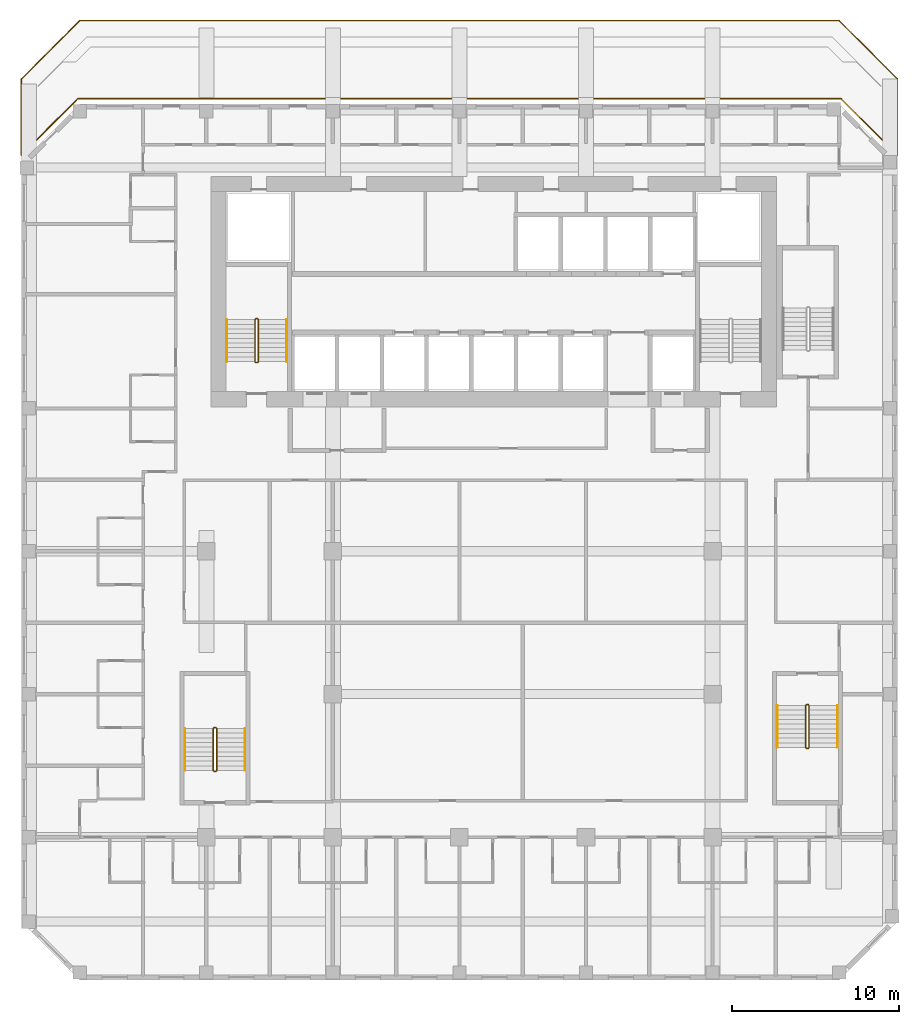
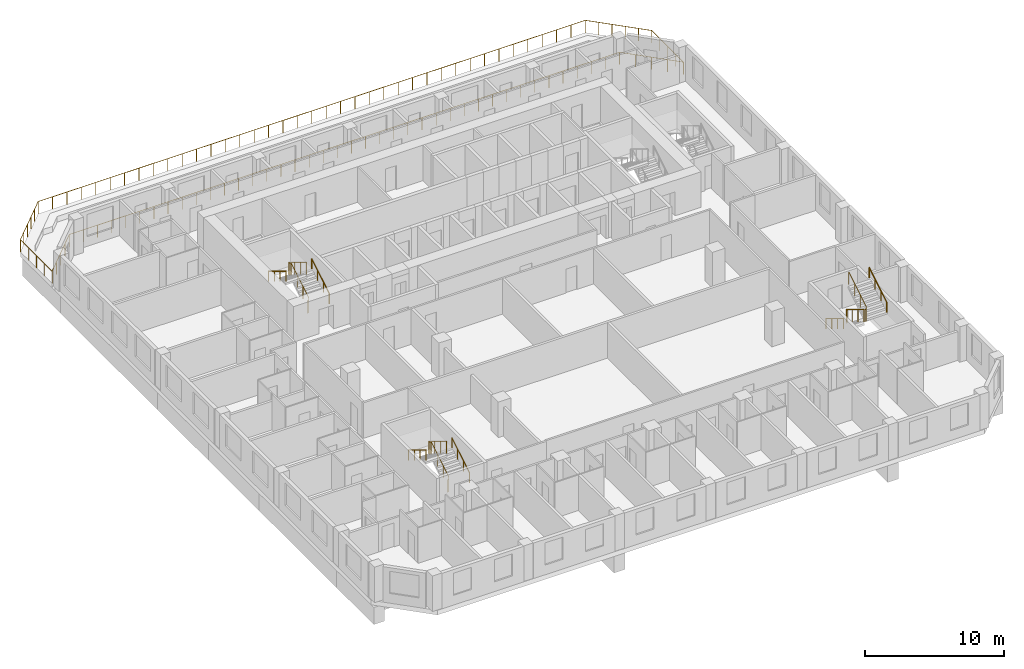
# One storey, part 15 of 16: 10 railings.
"""IFC4 building model written with IfcOpenShell, lengths in metres."""

from ifc_helpers import new_model, si_unit, direction, frame, origin, origin_2d, place, context, subcontext, project, spatial, circle, extrude, material, type_object, element, save


model = new_model("IFC4")

# Units and contexts
model_context = context("Model", 3, precision=1e-05, world=origin(), true_north=direction((0.0, 1.0)))
body_context = subcontext(model_context, "Body", "Model", "MODEL_VIEW")
ifc_project = project(units=[si_unit("LENGTHUNIT", "METRE"), si_unit("AREAUNIT", "SQUARE_METRE"), si_unit("VOLUMEUNIT", "CUBIC_METRE"), si_unit("PLANEANGLEUNIT", "RADIAN"), si_unit("MASSUNIT", "GRAM", prefix="KILO")], contexts=[model_context])

# Site, building, storey
site_placement = place(None, origin())
site = spatial("IfcSite", under=ifc_project, at=site_placement, CompositionType="ELEMENT")
building_placement = place(site_placement, origin())
building = spatial("IfcBuilding", under=site, at=building_placement, Name="Kilnfold Tower and Market Hall", CompositionType="ELEMENT")
storey_placement = place(building_placement, frame((0.0, 0.0, 168.5)))
storey = spatial("IfcBuildingStorey", under=building, at=storey_placement, Name="L39", CompositionType="ELEMENT", Elevation=168.5)

# Railings
ifc_material_1 = material(Name="Stainless steel 316", Category="steel")
railing_type_1 = type_object("IfcRailingType", Name="CORE STAIR GUARD 1100", PredefinedType="GUARDRAIL", material=ifc_material_1)
railing_1_placement = place(storey_placement, frame((-13.199951171875, 10.75, 0.0)))
element("IfcRailing", 1, at=railing_1_placement, inside=storey, type_object=railing_type_1, Name="L39 ST1 stair guard 1", PredefinedType="GUARDRAIL", context=body_context, shape_type="SweptSolid", body=[
    extrude(circle(Radius=0.02392578125, at=origin_2d()), frame((0.0, 0.0, 1.076171875), z_axis=(1.0, 0.0, 0.0), x_axis=(0.0, 1.0, 0.0)), (0.0, 0.0, 1.0), 0.099853515625),
    extrude(circle(Radius=0.02392578125, at=origin_2d()), frame((0.099853515625, 0.0, 1.076171875), z_axis=(0.271895245746, 0.271895245746, 0.923117517265), x_axis=(-0.707106781187, 0.707106781187, 0.0)), (0.0, 0.0, 1.0), 0.18408203125),
    extrude(circle(Radius=0.02392578125, at=origin_2d()), frame((0.14990234375, 0.050048828125, 1.24609375), z_axis=(0.0, 0.85478489116, 0.518982456201), x_axis=(-1.0, 0.0, 0.0)), (0.0, 0.0, 1.0), 2.9482421875),
    extrude(circle(Radius=0.02392578125, at=origin_2d()), frame((0.14990234375, 2.570068359375, 2.77587890625), z_axis=(-0.707106781187, 0.707106781187, 0.0), x_axis=(-0.707106781187, -0.707106781187, 0.0)), (0.0, 0.0, 1.0), 0.07080078125),
    extrude(circle(Radius=0.02392578125, at=origin_2d()), frame((0.099853515625, 2.6201171875, 2.77587890625), z_axis=(-1.0, 0.0, 0.0), x_axis=(0.0, -1.0, 0.0)), (0.0, 0.0, 1.0), 0.099853515625),
    extrude(circle(Radius=0.02392578125, at=origin_2d()), frame((0.0, 2.6201171875, 2.77587890625), z_axis=(-0.271562723297, -0.271562723297, 0.923313259209), x_axis=(0.707106781187, -0.707106781187, 0.0)), (0.0, 0.0, 1.0), 0.184326171875),
    extrude(circle(Radius=0.02392578125, at=origin_2d()), frame((-0.050048828125, 2.570068359375, 2.9462890625), z_axis=(0.0, -0.854821627497, 0.518921945155), x_axis=(1.0, 0.0, 0.0)), (0.0, 0.0, 1.0), 2.947998046875),
    extrude(circle(Radius=0.02099609375, at=origin_2d()), origin(), (0.0, 0.0, 1.0), 1.052001953125),
    extrude(circle(Radius=0.02099609375, at=origin_2d()), frame((0.099853515625, 0.0, 0.0)), (0.0, 0.0, 1.0), 1.052001953125),
    extrude(circle(Radius=0.02099609375, at=origin_2d()), frame((0.14990234375, 0.050048828125, 0.169921875)), (0.0, 0.0, 1.0), 1.052001953125),
    extrude(circle(Radius=0.02099609375, at=origin_2d()), frame((0.14990234375, 0.89013671875, 0.679931640625)), (0.0, 0.0, 1.0), 1.052001953125),
    extrude(circle(Radius=0.02099609375, at=origin_2d()), frame((0.14990234375, 1.72998046875, 1.18994140625)), (0.0, 0.0, 1.0), 1.052001953125),
    extrude(circle(Radius=0.02099609375, at=origin_2d()), frame((0.14990234375, 2.570068359375, 1.699951171875)), (0.0, 0.0, 1.0), 1.052001953125),
    extrude(circle(Radius=0.02099609375, at=origin_2d()), frame((0.099853515625, 2.6201171875, 1.699951171875)), (0.0, 0.0, 1.0), 1.052001953125),
    extrude(circle(Radius=0.02099609375, at=origin_2d()), frame((0.0, 2.6201171875, 1.699951171875)), (0.0, 0.0, 1.0), 1.052001953125),
    extrude(circle(Radius=0.02099609375, at=origin_2d()), frame((-0.050048828125, 2.570068359375, 1.8701171875)), (0.0, 0.0, 1.0), 1.052001953125),
    extrude(circle(Radius=0.02099609375, at=origin_2d()), frame((-0.050048828125, 1.72998046875, 2.380126953125)), (0.0, 0.0, 1.0), 1.052001953125),
    extrude(circle(Radius=0.02099609375, at=origin_2d()), frame((-0.050048828125, 0.89013671875, 2.889892578125)), (0.0, 0.0, 1.0), 1.052001953125),
    extrude(circle(Radius=0.02099609375, at=origin_2d()), frame((-0.050048828125, 0.050048828125, 3.39990234375)), (0.0, 0.0, 1.0), 1.052001953125),
])
railing_2_placement = place(storey_placement, frame((-15.699951171875, -13.75, 0.0)))
element("IfcRailing", 2, at=railing_2_placement, inside=storey, type_object=railing_type_1, Name="L39 ST3 stair guard 1", PredefinedType="GUARDRAIL", context=body_context, shape_type="SweptSolid", body=[
    extrude(circle(Radius=0.02392578125, at=origin_2d()), frame((0.0, 0.0, 1.076171875), z_axis=(1.0, 0.0, 0.0), x_axis=(0.0, 1.0, 0.0)), (0.0, 0.0, 1.0), 0.099853515625),
    extrude(circle(Radius=0.02392578125, at=origin_2d()), frame((0.099853515625, 0.0, 1.076171875), z_axis=(0.271895245746, 0.271895245746, 0.923117517265), x_axis=(-0.707106781187, 0.707106781187, 0.0)), (0.0, 0.0, 1.0), 0.18408203125),
    extrude(circle(Radius=0.02392578125, at=origin_2d()), frame((0.14990234375, 0.050048828125, 1.24609375), z_axis=(0.0, 0.85478489116, 0.518982456201), x_axis=(-1.0, 0.0, 0.0)), (0.0, 0.0, 1.0), 2.9482421875),
    extrude(circle(Radius=0.02392578125, at=origin_2d()), frame((0.14990234375, 2.570068359375, 2.77587890625), z_axis=(-0.707106781187, 0.707106781187, 0.0), x_axis=(-0.707106781187, -0.707106781187, 0.0)), (0.0, 0.0, 1.0), 0.07080078125),
    extrude(circle(Radius=0.02392578125, at=origin_2d()), frame((0.099853515625, 2.6201171875, 2.77587890625), z_axis=(-1.0, 0.0, 0.0), x_axis=(0.0, -1.0, 0.0)), (0.0, 0.0, 1.0), 0.099853515625),
    extrude(circle(Radius=0.02392578125, at=origin_2d()), frame((0.0, 2.6201171875, 2.77587890625), z_axis=(-0.271562723297, -0.271562723297, 0.923313259209), x_axis=(0.707106781187, -0.707106781187, 0.0)), (0.0, 0.0, 1.0), 0.184326171875),
    extrude(circle(Radius=0.02392578125, at=origin_2d()), frame((-0.050048828125, 2.570068359375, 2.9462890625), z_axis=(0.0, -0.854821627497, 0.518921945155), x_axis=(1.0, 0.0, 0.0)), (0.0, 0.0, 1.0), 2.947998046875),
    extrude(circle(Radius=0.02099609375, at=origin_2d()), origin(), (0.0, 0.0, 1.0), 1.052001953125),
    extrude(circle(Radius=0.02099609375, at=origin_2d()), frame((0.099853515625, 0.0, 0.0)), (0.0, 0.0, 1.0), 1.052001953125),
    extrude(circle(Radius=0.02099609375, at=origin_2d()), frame((0.14990234375, 0.050048828125, 0.169921875)), (0.0, 0.0, 1.0), 1.052001953125),
    extrude(circle(Radius=0.02099609375, at=origin_2d()), frame((0.14990234375, 0.89013671875, 0.679931640625)), (0.0, 0.0, 1.0), 1.052001953125),
    extrude(circle(Radius=0.02099609375, at=origin_2d()), frame((0.14990234375, 1.72998046875, 1.18994140625)), (0.0, 0.0, 1.0), 1.052001953125),
    extrude(circle(Radius=0.02099609375, at=origin_2d()), frame((0.14990234375, 2.570068359375, 1.699951171875)), (0.0, 0.0, 1.0), 1.052001953125),
    extrude(circle(Radius=0.02099609375, at=origin_2d()), frame((0.099853515625, 2.6201171875, 1.699951171875)), (0.0, 0.0, 1.0), 1.052001953125),
    extrude(circle(Radius=0.02099609375, at=origin_2d()), frame((0.0, 2.6201171875, 1.699951171875)), (0.0, 0.0, 1.0), 1.052001953125),
    extrude(circle(Radius=0.02099609375, at=origin_2d()), frame((-0.050048828125, 2.570068359375, 1.8701171875)), (0.0, 0.0, 1.0), 1.052001953125),
    extrude(circle(Radius=0.02099609375, at=origin_2d()), frame((-0.050048828125, 1.72998046875, 2.380126953125)), (0.0, 0.0, 1.0), 1.052001953125),
    extrude(circle(Radius=0.02099609375, at=origin_2d()), frame((-0.050048828125, 0.89013671875, 2.889892578125)), (0.0, 0.0, 1.0), 1.052001953125),
    extrude(circle(Radius=0.02099609375, at=origin_2d()), frame((-0.050048828125, 0.050048828125, 3.39990234375)), (0.0, 0.0, 1.0), 1.052001953125),
])
railing_3_placement = place(storey_placement, frame((19.89990234375, -9.75, 0.0)))
element("IfcRailing", 3, at=railing_3_placement, inside=storey, type_object=railing_type_1, Name="L39 ST4 stair guard 1", PredefinedType="GUARDRAIL", context=body_context, shape_type="SweptSolid", body=[
    extrude(circle(Radius=0.02392578125, at=origin_2d()), frame((0.0, 0.0, 1.076171875), z_axis=(-1.0, 0.0, 0.0), x_axis=(0.0, -1.0, 0.0)), (0.0, 0.0, 1.0), 0.099853515625),
    extrude(circle(Radius=0.02392578125, at=origin_2d()), frame((-0.099853515625, 0.0, 1.076171875), z_axis=(-0.271895245746, -0.271895245746, 0.923117517265), x_axis=(0.707106781187, -0.707106781187, 0.0)), (0.0, 0.0, 1.0), 0.18408203125),
    extrude(circle(Radius=0.02392578125, at=origin_2d()), frame((-0.14990234375, -0.050048828125, 1.24609375), z_axis=(0.0, -0.85478489116, 0.518982456201), x_axis=(1.0, 0.0, 0.0)), (0.0, 0.0, 1.0), 2.9482421875),
    extrude(circle(Radius=0.02392578125, at=origin_2d()), frame((-0.14990234375, -2.570068359375, 2.77587890625), z_axis=(0.707106781187, -0.707106781187, 0.0), x_axis=(0.707106781187, 0.707106781187, 0.0)), (0.0, 0.0, 1.0), 0.07080078125),
    extrude(circle(Radius=0.02392578125, at=origin_2d()), frame((-0.099853515625, -2.6201171875, 2.77587890625), z_axis=(1.0, 0.0, 0.0), x_axis=(0.0, 1.0, 0.0)), (0.0, 0.0, 1.0), 0.099853515625),
    extrude(circle(Radius=0.02392578125, at=origin_2d()), frame((0.0, -2.6201171875, 2.77587890625), z_axis=(0.271562723297, 0.271562723297, 0.923313259209), x_axis=(-0.707106781187, 0.707106781187, 0.0)), (0.0, 0.0, 1.0), 0.184326171875),
    extrude(circle(Radius=0.02392578125, at=origin_2d()), frame((0.050048828125, -2.570068359375, 2.9462890625), z_axis=(0.0, 0.854821627497, 0.518921945155), x_axis=(-1.0, 0.0, 0.0)), (0.0, 0.0, 1.0), 2.947998046875),
    extrude(circle(Radius=0.02099609375, at=origin_2d()), origin(), (0.0, 0.0, 1.0), 1.052001953125),
    extrude(circle(Radius=0.02099609375, at=origin_2d()), frame((-0.099853515625, 0.0, 0.0)), (0.0, 0.0, 1.0), 1.052001953125),
    extrude(circle(Radius=0.02099609375, at=origin_2d()), frame((-0.14990234375, -0.050048828125, 0.169921875)), (0.0, 0.0, 1.0), 1.052001953125),
    extrude(circle(Radius=0.02099609375, at=origin_2d()), frame((-0.14990234375, -0.89013671875, 0.679931640625)), (0.0, 0.0, 1.0), 1.052001953125),
    extrude(circle(Radius=0.02099609375, at=origin_2d()), frame((-0.14990234375, -1.72998046875, 1.18994140625)), (0.0, 0.0, 1.0), 1.052001953125),
    extrude(circle(Radius=0.02099609375, at=origin_2d()), frame((-0.14990234375, -2.570068359375, 1.699951171875)), (0.0, 0.0, 1.0), 1.052001953125),
    extrude(circle(Radius=0.02099609375, at=origin_2d()), frame((-0.099853515625, -2.6201171875, 1.699951171875)), (0.0, 0.0, 1.0), 1.052001953125),
    extrude(circle(Radius=0.02099609375, at=origin_2d()), frame((0.0, -2.6201171875, 1.699951171875)), (0.0, 0.0, 1.0), 1.052001953125),
    extrude(circle(Radius=0.02099609375, at=origin_2d()), frame((0.050048828125, -2.570068359375, 1.8701171875)), (0.0, 0.0, 1.0), 1.052001953125),
    extrude(circle(Radius=0.02099609375, at=origin_2d()), frame((0.050048828125, -1.72998046875, 2.380126953125)), (0.0, 0.0, 1.0), 1.052001953125),
    extrude(circle(Radius=0.02099609375, at=origin_2d()), frame((0.050048828125, -0.89013671875, 2.889892578125)), (0.0, 0.0, 1.0), 1.052001953125),
    extrude(circle(Radius=0.02099609375, at=origin_2d()), frame((0.050048828125, -0.050048828125, 3.39990234375)), (0.0, 0.0, 1.0), 1.052001953125),
])
ifc_material_2 = material(Name="Stainless steel 316", Category="steel")
railing_type_2 = type_object("IfcRailingType", Name="CORE STAIR HANDRAIL 900", PredefinedType="HANDRAIL", material=ifc_material_2)
railing_4_placement = place(storey_placement, frame((-11.35009765625, 10.800048828125, 0.169921875)))
element("IfcRailing", 4, at=railing_4_placement, inside=storey, type_object=railing_type_2, Name="L39 ST1 stair handrail 1", PredefinedType="HANDRAIL", context=body_context, shape_type="SweptSolid", body=[
    extrude(circle(Radius=0.02392578125, at=origin_2d()), frame((0.0, 0.0, 0.8759765625), z_axis=(0.0, 0.85478489116, 0.518982456201), x_axis=(-1.0, 0.0, 0.0)), (0.0, 0.0, 1.0), 2.9482421875),
    extrude(circle(Radius=0.02099609375, at=origin_2d()), origin(), (0.0, 0.0, 1.0), 0.851806640625),
    extrude(circle(Radius=0.02099609375, at=origin_2d()), frame((0.0, 0.840087890625, 0.510009765625)), (0.0, 0.0, 1.0), 0.851806640625),
    extrude(circle(Radius=0.02099609375, at=origin_2d()), frame((0.0, 1.679931640625, 1.02001953125)), (0.0, 0.0, 1.0), 0.851806640625),
    extrude(circle(Radius=0.02099609375, at=origin_2d()), frame((0.0, 2.52001953125, 1.530029296875)), (0.0, 0.0, 1.0), 0.851806640625),
])
railing_5_placement = place(storey_placement, frame((-14.949951171875, 13.320068359375, 1.8701171875)))
element("IfcRailing", 5, at=railing_5_placement, inside=storey, type_object=railing_type_2, Name="L39 ST1 stair handrail 2", PredefinedType="HANDRAIL", context=body_context, shape_type="SweptSolid", body=[
    extrude(circle(Radius=0.02392578125, at=origin_2d()), frame((0.0, 0.0, 0.8759765625), z_axis=(0.0, -0.854821627497, 0.518921945155), x_axis=(1.0, 0.0, 0.0)), (0.0, 0.0, 1.0), 2.947998046875),
    extrude(circle(Radius=0.02099609375, at=origin_2d()), origin(), (0.0, 0.0, 1.0), 0.851806640625),
    extrude(circle(Radius=0.02099609375, at=origin_2d()), frame((0.0, -0.840087890625, 0.510009765625)), (0.0, 0.0, 1.0), 0.851806640625),
    extrude(circle(Radius=0.02099609375, at=origin_2d()), frame((0.0, -1.679931640625, 1.019775390625)), (0.0, 0.0, 1.0), 0.851806640625),
    extrude(circle(Radius=0.02099609375, at=origin_2d()), frame((0.0, -2.52001953125, 1.52978515625)), (0.0, 0.0, 1.0), 0.851806640625),
])
railing_6_placement = place(storey_placement, frame((-13.85009765625, -13.699951171875, 0.169921875)))
element("IfcRailing", 6, at=railing_6_placement, inside=storey, type_object=railing_type_2, Name="L39 ST3 stair handrail 1", PredefinedType="HANDRAIL", context=body_context, shape_type="SweptSolid", body=[
    extrude(circle(Radius=0.02392578125, at=origin_2d()), frame((0.0, 0.0, 0.8759765625), z_axis=(0.0, 0.85478489116, 0.518982456201), x_axis=(-1.0, 0.0, 0.0)), (0.0, 0.0, 1.0), 2.9482421875),
    extrude(circle(Radius=0.02099609375, at=origin_2d()), origin(), (0.0, 0.0, 1.0), 0.851806640625),
    extrude(circle(Radius=0.02099609375, at=origin_2d()), frame((0.0, 0.840087890625, 0.510009765625)), (0.0, 0.0, 1.0), 0.851806640625),
    extrude(circle(Radius=0.02099609375, at=origin_2d()), frame((0.0, 1.679931640625, 1.02001953125)), (0.0, 0.0, 1.0), 0.851806640625),
    extrude(circle(Radius=0.02099609375, at=origin_2d()), frame((0.0, 2.52001953125, 1.530029296875)), (0.0, 0.0, 1.0), 0.851806640625),
])
railing_7_placement = place(storey_placement, frame((-17.449951171875, -11.179931640625, 1.8701171875)))
element("IfcRailing", 7, at=railing_7_placement, inside=storey, type_object=railing_type_2, Name="L39 ST3 stair handrail 2", PredefinedType="HANDRAIL", context=body_context, shape_type="SweptSolid", body=[
    extrude(circle(Radius=0.02392578125, at=origin_2d()), frame((0.0, 0.0, 0.8759765625), z_axis=(0.0, -0.854821627497, 0.518921945155), x_axis=(1.0, 0.0, 0.0)), (0.0, 0.0, 1.0), 2.947998046875),
    extrude(circle(Radius=0.02099609375, at=origin_2d()), origin(), (0.0, 0.0, 1.0), 0.851806640625),
    extrude(circle(Radius=0.02099609375, at=origin_2d()), frame((0.0, -0.840087890625, 0.510009765625)), (0.0, 0.0, 1.0), 0.851806640625),
    extrude(circle(Radius=0.02099609375, at=origin_2d()), frame((0.0, -1.679931640625, 1.019775390625)), (0.0, 0.0, 1.0), 0.851806640625),
    extrude(circle(Radius=0.02099609375, at=origin_2d()), frame((0.0, -2.52001953125, 1.52978515625)), (0.0, 0.0, 1.0), 0.851806640625),
])
railing_8_placement = place(storey_placement, frame((18.050048828125, -9.800048828125, 0.169921875)))
element("IfcRailing", 8, at=railing_8_placement, inside=storey, type_object=railing_type_2, Name="L39 ST4 stair handrail 1", PredefinedType="HANDRAIL", context=body_context, shape_type="SweptSolid", body=[
    extrude(circle(Radius=0.02392578125, at=origin_2d()), frame((0.0, 0.0, 0.8759765625), z_axis=(0.0, -0.85478489116, 0.518982456201), x_axis=(1.0, 0.0, 0.0)), (0.0, 0.0, 1.0), 2.9482421875),
    extrude(circle(Radius=0.02099609375, at=origin_2d()), origin(), (0.0, 0.0, 1.0), 0.851806640625),
    extrude(circle(Radius=0.02099609375, at=origin_2d()), frame((0.0, -0.840087890625, 0.510009765625)), (0.0, 0.0, 1.0), 0.851806640625),
    extrude(circle(Radius=0.02099609375, at=origin_2d()), frame((0.0, -1.679931640625, 1.02001953125)), (0.0, 0.0, 1.0), 0.851806640625),
    extrude(circle(Radius=0.02099609375, at=origin_2d()), frame((0.0, -2.52001953125, 1.530029296875)), (0.0, 0.0, 1.0), 0.851806640625),
])
railing_9_placement = place(storey_placement, frame((21.64990234375, -12.320068359375, 1.8701171875)))
element("IfcRailing", 9, at=railing_9_placement, inside=storey, type_object=railing_type_2, Name="L39 ST4 stair handrail 2", PredefinedType="HANDRAIL", context=body_context, shape_type="SweptSolid", body=[
    extrude(circle(Radius=0.02392578125, at=origin_2d()), frame((0.0, 0.0, 0.8759765625), z_axis=(0.0, 0.854821627497, 0.518921945155), x_axis=(-1.0, 0.0, 0.0)), (0.0, 0.0, 1.0), 2.947998046875),
    extrude(circle(Radius=0.02099609375, at=origin_2d()), origin(), (0.0, 0.0, 1.0), 0.851806640625),
    extrude(circle(Radius=0.02099609375, at=origin_2d()), frame((0.0, 0.840087890625, 0.510009765625)), (0.0, 0.0, 1.0), 0.851806640625),
    extrude(circle(Radius=0.02099609375, at=origin_2d()), frame((0.0, 1.679931640625, 1.019775390625)), (0.0, 0.0, 1.0), 0.851806640625),
    extrude(circle(Radius=0.02099609375, at=origin_2d()), frame((0.0, 2.52001953125, 1.52978515625)), (0.0, 0.0, 1.0), 0.851806640625),
])
ifc_material_3 = material(Name="Stainless steel and laminated glass", Category="steel")
railing_type_3 = type_object("IfcRailingType", Name="GUARD 1100", PredefinedType="GUARDRAIL", material=ifc_material_3)
railing_10_placement = place(storey_placement, frame((-27.25, 27.75, 0.0)))
element("IfcRailing", 10, at=railing_10_placement, inside=storey, type_object=railing_type_3, Name="Guard terrace L39", PredefinedType="GUARDRAIL", context=body_context, shape_type="SweptSolid", body=[
    extrude(circle(Radius=0.02490234375, at=origin_2d()), frame((0.0, 0.0, 1.0751953125), z_axis=(0.707106781187, 0.707106781187, 0.0), x_axis=(-0.707106781187, 0.707106781187, 0.0)), (0.0, 0.0, 1.0), 4.94970703125),
    extrude(circle(Radius=0.02490234375, at=origin_2d()), frame((3.5, 3.5, 1.0751953125), z_axis=(1.0, 0.0, 0.0), x_axis=(0.0, 1.0, 0.0)), (0.0, 0.0, 1.0), 45.5),
    extrude(circle(Radius=0.02490234375, at=origin_2d()), frame((49.0, 3.5, 1.0751953125), z_axis=(0.707106781187, -0.707106781187, 0.0), x_axis=(0.707106781187, 0.707106781187, 0.0)), (0.0, 0.0, 1.0), 4.94970703125),
    extrude(circle(Radius=0.02490234375, at=origin_2d()), frame((52.5, 0.0, 1.0751953125), z_axis=(0.0, -1.0, 0.0), x_axis=(1.0, 0.0, 0.0)), (0.0, 0.0, 1.0), 4.57568359375),
    extrude(circle(Radius=0.02490234375, at=origin_2d()), frame((52.5, -4.57568359375, 1.0751953125), z_axis=(-0.707106781187, 0.707106781187, 0.0), x_axis=(-0.707106781187, -0.707106781187, 0.0)), (0.0, 0.0, 1.0), 4.77392578125),
    extrude(circle(Radius=0.02490234375, at=origin_2d()), frame((49.124267578125, -1.199951171875, 1.0751953125), z_axis=(-1.0, 0.0, 0.0), x_axis=(0.0, -1.0, 0.0)), (0.0, 0.0, 1.0), 45.74853515625),
    extrude(circle(Radius=0.02490234375, at=origin_2d()), frame((3.375732421875, -1.199951171875, 1.0751953125), z_axis=(-0.707106781187, -0.707106781187, 0.0), x_axis=(0.707106781187, -0.707106781187, 0.0)), (0.0, 0.0, 1.0), 4.77392578125),
    extrude(circle(Radius=0.02490234375, at=origin_2d()), frame((0.0, -4.57568359375, 1.0751953125), z_axis=(0.0, 1.0, 0.0), x_axis=(-1.0, 0.0, 0.0)), (0.0, 0.0, 1.0), 4.515625),
    extrude(circle(Radius=0.02490234375, at=origin_2d()), origin(), (0.0, 0.0, 1.0), 1.050048828125),
    extrude(circle(Radius=0.02490234375, at=origin_2d()), frame((0.699951171875, 0.699951171875, 0.0)), (0.0, 0.0, 1.0), 1.050048828125),
    extrude(circle(Radius=0.02490234375, at=origin_2d()), frame((1.39990234375, 1.39990234375, 0.0)), (0.0, 0.0, 1.0), 1.050048828125),
    extrude(circle(Radius=0.02490234375, at=origin_2d()), frame((2.10009765625, 2.10009765625, 0.0)), (0.0, 0.0, 1.0), 1.050048828125),
    extrude(circle(Radius=0.02490234375, at=origin_2d()), frame((2.800048828125, 2.800048828125, 0.0)), (0.0, 0.0, 1.0), 1.050048828125),
    extrude(circle(Radius=0.02490234375, at=origin_2d()), frame((3.5, 3.5, 0.0)), (0.0, 0.0, 1.0), 1.050048828125),
    extrude(circle(Radius=0.02490234375, at=origin_2d()), frame((4.697265625, 3.5, 0.0)), (0.0, 0.0, 1.0), 1.050048828125),
    extrude(circle(Radius=0.02490234375, at=origin_2d()), frame((5.894775390625, 3.5, 0.0)), (0.0, 0.0, 1.0), 1.050048828125),
    extrude(circle(Radius=0.02490234375, at=origin_2d()), frame((7.092041015625, 3.5, 0.0)), (0.0, 0.0, 1.0), 1.050048828125),
    extrude(circle(Radius=0.02490234375, at=origin_2d()), frame((8.28955078125, 3.5, 0.0)), (0.0, 0.0, 1.0), 1.050048828125),
    extrude(circle(Radius=0.02490234375, at=origin_2d()), frame((9.48681640625, 3.5, 0.0)), (0.0, 0.0, 1.0), 1.050048828125),
    extrude(circle(Radius=0.02490234375, at=origin_2d()), frame((10.684326171875, 3.5, 0.0)), (0.0, 0.0, 1.0), 1.050048828125),
    extrude(circle(Radius=0.02490234375, at=origin_2d()), frame((11.881591796875, 3.5, 0.0)), (0.0, 0.0, 1.0), 1.050048828125),
    extrude(circle(Radius=0.02490234375, at=origin_2d()), frame((13.078857421875, 3.5, 0.0)), (0.0, 0.0, 1.0), 1.050048828125),
    extrude(circle(Radius=0.02490234375, at=origin_2d()), frame((14.2763671875, 3.5, 0.0)), (0.0, 0.0, 1.0), 1.050048828125),
    extrude(circle(Radius=0.02490234375, at=origin_2d()), frame((15.4736328125, 3.5, 0.0)), (0.0, 0.0, 1.0), 1.050048828125),
    extrude(circle(Radius=0.02490234375, at=origin_2d()), frame((16.671142578125, 3.5, 0.0)), (0.0, 0.0, 1.0), 1.050048828125),
    extrude(circle(Radius=0.02490234375, at=origin_2d()), frame((17.868408203125, 3.5, 0.0)), (0.0, 0.0, 1.0), 1.050048828125),
    extrude(circle(Radius=0.02490234375, at=origin_2d()), frame((19.065673828125, 3.5, 0.0)), (0.0, 0.0, 1.0), 1.050048828125),
    extrude(circle(Radius=0.02490234375, at=origin_2d()), frame((20.26318359375, 3.5, 0.0)), (0.0, 0.0, 1.0), 1.050048828125),
    extrude(circle(Radius=0.02490234375, at=origin_2d()), frame((21.46044921875, 3.5, 0.0)), (0.0, 0.0, 1.0), 1.050048828125),
    extrude(circle(Radius=0.02490234375, at=origin_2d()), frame((22.657958984375, 3.5, 0.0)), (0.0, 0.0, 1.0), 1.050048828125),
    extrude(circle(Radius=0.02490234375, at=origin_2d()), frame((23.855224609375, 3.5, 0.0)), (0.0, 0.0, 1.0), 1.050048828125),
    extrude(circle(Radius=0.02490234375, at=origin_2d()), frame((25.052734375, 3.5, 0.0)), (0.0, 0.0, 1.0), 1.050048828125),
    extrude(circle(Radius=0.02490234375, at=origin_2d()), frame((26.25, 3.5, 0.0)), (0.0, 0.0, 1.0), 1.050048828125),
    extrude(circle(Radius=0.02490234375, at=origin_2d()), frame((27.447265625, 3.5, 0.0)), (0.0, 0.0, 1.0), 1.050048828125),
    extrude(circle(Radius=0.02490234375, at=origin_2d()), frame((28.644775390625, 3.5, 0.0)), (0.0, 0.0, 1.0), 1.050048828125),
    extrude(circle(Radius=0.02490234375, at=origin_2d()), frame((29.842041015625, 3.5, 0.0)), (0.0, 0.0, 1.0), 1.050048828125),
    extrude(circle(Radius=0.02490234375, at=origin_2d()), frame((31.03955078125, 3.5, 0.0)), (0.0, 0.0, 1.0), 1.050048828125),
    extrude(circle(Radius=0.02490234375, at=origin_2d()), frame((32.23681640625, 3.5, 0.0)), (0.0, 0.0, 1.0), 1.050048828125),
    extrude(circle(Radius=0.02490234375, at=origin_2d()), frame((33.434326171875, 3.5, 0.0)), (0.0, 0.0, 1.0), 1.050048828125),
    extrude(circle(Radius=0.02490234375, at=origin_2d()), frame((34.631591796875, 3.5, 0.0)), (0.0, 0.0, 1.0), 1.050048828125),
    extrude(circle(Radius=0.02490234375, at=origin_2d()), frame((35.828857421875, 3.5, 0.0)), (0.0, 0.0, 1.0), 1.050048828125),
    extrude(circle(Radius=0.02490234375, at=origin_2d()), frame((37.0263671875, 3.5, 0.0)), (0.0, 0.0, 1.0), 1.050048828125),
    extrude(circle(Radius=0.02490234375, at=origin_2d()), frame((38.2236328125, 3.5, 0.0)), (0.0, 0.0, 1.0), 1.050048828125),
    extrude(circle(Radius=0.02490234375, at=origin_2d()), frame((39.421142578125, 3.5, 0.0)), (0.0, 0.0, 1.0), 1.050048828125),
    extrude(circle(Radius=0.02490234375, at=origin_2d()), frame((40.618408203125, 3.5, 0.0)), (0.0, 0.0, 1.0), 1.050048828125),
    extrude(circle(Radius=0.02490234375, at=origin_2d()), frame((41.815673828125, 3.5, 0.0)), (0.0, 0.0, 1.0), 1.050048828125),
    extrude(circle(Radius=0.02490234375, at=origin_2d()), frame((43.01318359375, 3.5, 0.0)), (0.0, 0.0, 1.0), 1.050048828125),
    extrude(circle(Radius=0.02490234375, at=origin_2d()), frame((44.21044921875, 3.5, 0.0)), (0.0, 0.0, 1.0), 1.050048828125),
    extrude(circle(Radius=0.02490234375, at=origin_2d()), frame((45.407958984375, 3.5, 0.0)), (0.0, 0.0, 1.0), 1.050048828125),
    extrude(circle(Radius=0.02490234375, at=origin_2d()), frame((46.605224609375, 3.5, 0.0)), (0.0, 0.0, 1.0), 1.050048828125),
    extrude(circle(Radius=0.02490234375, at=origin_2d()), frame((47.802734375, 3.5, 0.0)), (0.0, 0.0, 1.0), 1.050048828125),
    extrude(circle(Radius=0.02490234375, at=origin_2d()), frame((49.0, 3.5, 0.0)), (0.0, 0.0, 1.0), 1.050048828125),
    extrude(circle(Radius=0.02490234375, at=origin_2d()), frame((49.699951171875, 2.800048828125, 0.0)), (0.0, 0.0, 1.0), 1.050048828125),
    extrude(circle(Radius=0.02490234375, at=origin_2d()), frame((50.39990234375, 2.10009765625, 0.0)), (0.0, 0.0, 1.0), 1.050048828125),
    extrude(circle(Radius=0.02490234375, at=origin_2d()), frame((51.10009765625, 1.39990234375, 0.0)), (0.0, 0.0, 1.0), 1.050048828125),
    extrude(circle(Radius=0.02490234375, at=origin_2d()), frame((51.800048828125, 0.699951171875, 0.0)), (0.0, 0.0, 1.0), 1.050048828125),
    extrude(circle(Radius=0.02490234375, at=origin_2d()), frame((52.5, 0.0, 0.0)), (0.0, 0.0, 1.0), 1.050048828125),
    extrude(circle(Radius=0.02490234375, at=origin_2d()), frame((52.5, -1.14404296875, 0.0)), (0.0, 0.0, 1.0), 1.050048828125),
    extrude(circle(Radius=0.02490234375, at=origin_2d()), frame((52.5, -2.287841796875, 0.0)), (0.0, 0.0, 1.0), 1.050048828125),
    extrude(circle(Radius=0.02490234375, at=origin_2d()), frame((52.5, -3.431640625, 0.0)), (0.0, 0.0, 1.0), 1.050048828125),
    extrude(circle(Radius=0.02490234375, at=origin_2d()), frame((52.5, -4.57568359375, 0.0)), (0.0, 0.0, 1.0), 1.050048828125),
    extrude(circle(Radius=0.02490234375, at=origin_2d()), frame((51.656005859375, -3.731689453125, 0.0)), (0.0, 0.0, 1.0), 1.050048828125),
    extrude(circle(Radius=0.02490234375, at=origin_2d()), frame((50.81201171875, -2.8876953125, 0.0)), (0.0, 0.0, 1.0), 1.050048828125),
    extrude(circle(Radius=0.02490234375, at=origin_2d()), frame((49.96826171875, -2.0439453125, 0.0)), (0.0, 0.0, 1.0), 1.050048828125),
    extrude(circle(Radius=0.02490234375, at=origin_2d()), frame((49.124267578125, -1.199951171875, 0.0)), (0.0, 0.0, 1.0), 1.050048828125),
    extrude(circle(Radius=0.02490234375, at=origin_2d()), frame((47.951171875, -1.199951171875, 0.0)), (0.0, 0.0, 1.0), 1.050048828125),
    extrude(circle(Radius=0.02490234375, at=origin_2d()), frame((46.778076171875, -1.199951171875, 0.0)), (0.0, 0.0, 1.0), 1.050048828125),
    extrude(circle(Radius=0.02490234375, at=origin_2d()), frame((45.605224609375, -1.199951171875, 0.0)), (0.0, 0.0, 1.0), 1.050048828125),
    extrude(circle(Radius=0.02490234375, at=origin_2d()), frame((44.43212890625, -1.199951171875, 0.0)), (0.0, 0.0, 1.0), 1.050048828125),
    extrude(circle(Radius=0.02490234375, at=origin_2d()), frame((43.259033203125, -1.199951171875, 0.0)), (0.0, 0.0, 1.0), 1.050048828125),
    extrude(circle(Radius=0.02490234375, at=origin_2d()), frame((42.0859375, -1.199951171875, 0.0)), (0.0, 0.0, 1.0), 1.050048828125),
    extrude(circle(Radius=0.02490234375, at=origin_2d()), frame((40.9130859375, -1.199951171875, 0.0)), (0.0, 0.0, 1.0), 1.050048828125),
    extrude(circle(Radius=0.02490234375, at=origin_2d()), frame((39.739990234375, -1.199951171875, 0.0)), (0.0, 0.0, 1.0), 1.050048828125),
    extrude(circle(Radius=0.02490234375, at=origin_2d()), frame((38.56689453125, -1.199951171875, 0.0)), (0.0, 0.0, 1.0), 1.050048828125),
    extrude(circle(Radius=0.02490234375, at=origin_2d()), frame((37.393798828125, -1.199951171875, 0.0)), (0.0, 0.0, 1.0), 1.050048828125),
    extrude(circle(Radius=0.02490234375, at=origin_2d()), frame((36.220947265625, -1.199951171875, 0.0)), (0.0, 0.0, 1.0), 1.050048828125),
    extrude(circle(Radius=0.02490234375, at=origin_2d()), frame((35.0478515625, -1.199951171875, 0.0)), (0.0, 0.0, 1.0), 1.050048828125),
    extrude(circle(Radius=0.02490234375, at=origin_2d()), frame((33.874755859375, -1.199951171875, 0.0)), (0.0, 0.0, 1.0), 1.050048828125),
    extrude(circle(Radius=0.02490234375, at=origin_2d()), frame((32.70166015625, -1.199951171875, 0.0)), (0.0, 0.0, 1.0), 1.050048828125),
    extrude(circle(Radius=0.02490234375, at=origin_2d()), frame((31.528564453125, -1.199951171875, 0.0)), (0.0, 0.0, 1.0), 1.050048828125),
    extrude(circle(Radius=0.02490234375, at=origin_2d()), frame((30.355712890625, -1.199951171875, 0.0)), (0.0, 0.0, 1.0), 1.050048828125),
    extrude(circle(Radius=0.02490234375, at=origin_2d()), frame((29.1826171875, -1.199951171875, 0.0)), (0.0, 0.0, 1.0), 1.050048828125),
    extrude(circle(Radius=0.02490234375, at=origin_2d()), frame((28.009521484375, -1.199951171875, 0.0)), (0.0, 0.0, 1.0), 1.050048828125),
    extrude(circle(Radius=0.02490234375, at=origin_2d()), frame((26.83642578125, -1.199951171875, 0.0)), (0.0, 0.0, 1.0), 1.050048828125),
    extrude(circle(Radius=0.02490234375, at=origin_2d()), frame((25.66357421875, -1.199951171875, 0.0)), (0.0, 0.0, 1.0), 1.050048828125),
    extrude(circle(Radius=0.02490234375, at=origin_2d()), frame((24.490478515625, -1.199951171875, 0.0)), (0.0, 0.0, 1.0), 1.050048828125),
    extrude(circle(Radius=0.02490234375, at=origin_2d()), frame((23.3173828125, -1.199951171875, 0.0)), (0.0, 0.0, 1.0), 1.050048828125),
    extrude(circle(Radius=0.02490234375, at=origin_2d()), frame((22.144287109375, -1.199951171875, 0.0)), (0.0, 0.0, 1.0), 1.050048828125),
    extrude(circle(Radius=0.02490234375, at=origin_2d()), frame((20.971435546875, -1.199951171875, 0.0)), (0.0, 0.0, 1.0), 1.050048828125),
    extrude(circle(Radius=0.02490234375, at=origin_2d()), frame((19.79833984375, -1.199951171875, 0.0)), (0.0, 0.0, 1.0), 1.050048828125),
    extrude(circle(Radius=0.02490234375, at=origin_2d()), frame((18.625244140625, -1.199951171875, 0.0)), (0.0, 0.0, 1.0), 1.050048828125),
    extrude(circle(Radius=0.02490234375, at=origin_2d()), frame((17.4521484375, -1.199951171875, 0.0)), (0.0, 0.0, 1.0), 1.050048828125),
    extrude(circle(Radius=0.02490234375, at=origin_2d()), frame((16.279052734375, -1.199951171875, 0.0)), (0.0, 0.0, 1.0), 1.050048828125),
    extrude(circle(Radius=0.02490234375, at=origin_2d()), frame((15.106201171875, -1.199951171875, 0.0)), (0.0, 0.0, 1.0), 1.050048828125),
    extrude(circle(Radius=0.02490234375, at=origin_2d()), frame((13.93310546875, -1.199951171875, 0.0)), (0.0, 0.0, 1.0), 1.050048828125),
    extrude(circle(Radius=0.02490234375, at=origin_2d()), frame((12.760009765625, -1.199951171875, 0.0)), (0.0, 0.0, 1.0), 1.050048828125),
    extrude(circle(Radius=0.02490234375, at=origin_2d()), frame((11.5869140625, -1.199951171875, 0.0)), (0.0, 0.0, 1.0), 1.050048828125),
    extrude(circle(Radius=0.02490234375, at=origin_2d()), frame((10.4140625, -1.199951171875, 0.0)), (0.0, 0.0, 1.0), 1.050048828125),
    extrude(circle(Radius=0.02490234375, at=origin_2d()), frame((9.240966796875, -1.199951171875, 0.0)), (0.0, 0.0, 1.0), 1.050048828125),
    extrude(circle(Radius=0.02490234375, at=origin_2d()), frame((8.06787109375, -1.199951171875, 0.0)), (0.0, 0.0, 1.0), 1.050048828125),
    extrude(circle(Radius=0.02490234375, at=origin_2d()), frame((6.894775390625, -1.199951171875, 0.0)), (0.0, 0.0, 1.0), 1.050048828125),
    extrude(circle(Radius=0.02490234375, at=origin_2d()), frame((5.721923828125, -1.199951171875, 0.0)), (0.0, 0.0, 1.0), 1.050048828125),
    extrude(circle(Radius=0.02490234375, at=origin_2d()), frame((4.548828125, -1.199951171875, 0.0)), (0.0, 0.0, 1.0), 1.050048828125),
    extrude(circle(Radius=0.02490234375, at=origin_2d()), frame((3.375732421875, -1.199951171875, 0.0)), (0.0, 0.0, 1.0), 1.050048828125),
    extrude(circle(Radius=0.02490234375, at=origin_2d()), frame((2.53173828125, -2.0439453125, 0.0)), (0.0, 0.0, 1.0), 1.050048828125),
    extrude(circle(Radius=0.02490234375, at=origin_2d()), frame((1.68798828125, -2.8876953125, 0.0)), (0.0, 0.0, 1.0), 1.050048828125),
    extrude(circle(Radius=0.02490234375, at=origin_2d()), frame((0.843994140625, -3.731689453125, 0.0)), (0.0, 0.0, 1.0), 1.050048828125),
    extrude(circle(Radius=0.02490234375, at=origin_2d()), frame((0.0, -4.57568359375, 0.0)), (0.0, 0.0, 1.0), 1.050048828125),
    extrude(circle(Radius=0.02490234375, at=origin_2d()), frame((0.0, -3.44677734375, 0.0)), (0.0, 0.0, 1.0), 1.050048828125),
    extrude(circle(Radius=0.02490234375, at=origin_2d()), frame((0.0, -2.31787109375, 0.0)), (0.0, 0.0, 1.0), 1.050048828125),
    extrude(circle(Radius=0.02490234375, at=origin_2d()), frame((0.0, -1.18896484375, 0.0)), (0.0, 0.0, 1.0), 1.050048828125),
    extrude(circle(Radius=0.02490234375, at=origin_2d()), frame((0.0, -0.06005859375, 0.0)), (0.0, 0.0, 1.0), 1.050048828125),
])

save(model, "model.ifc")
